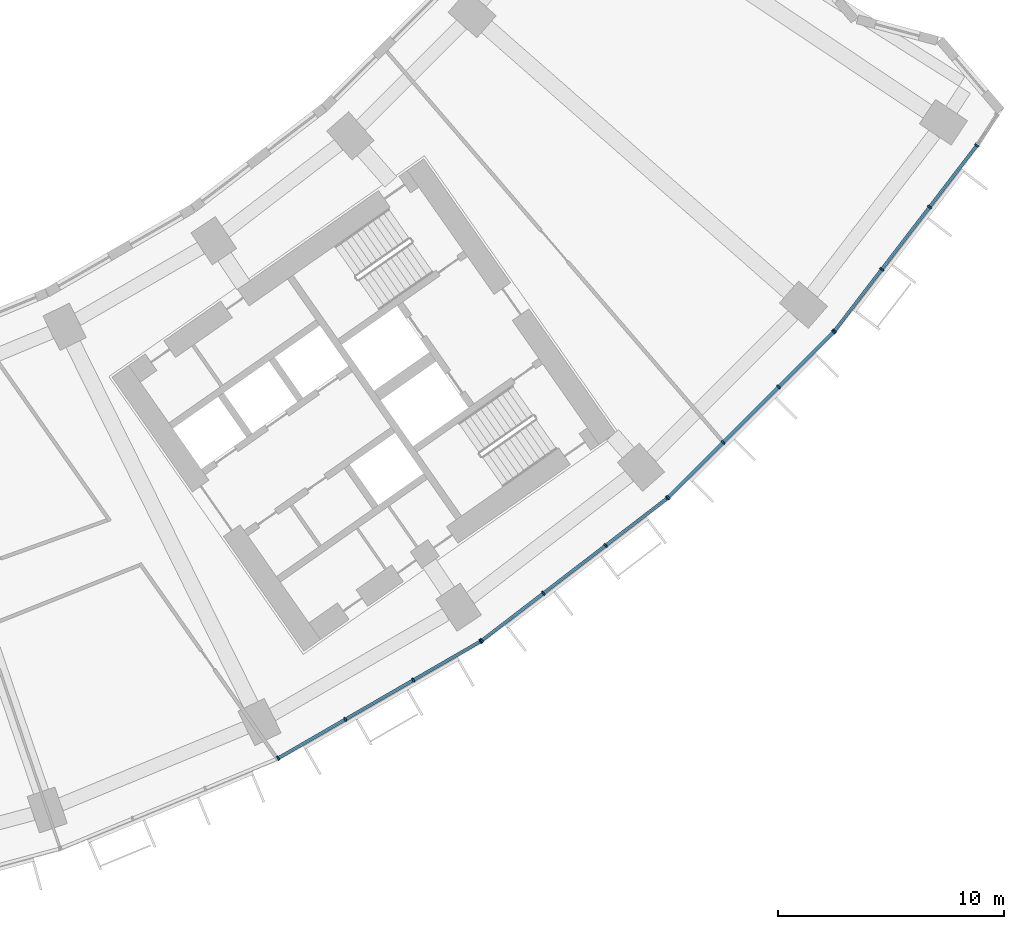
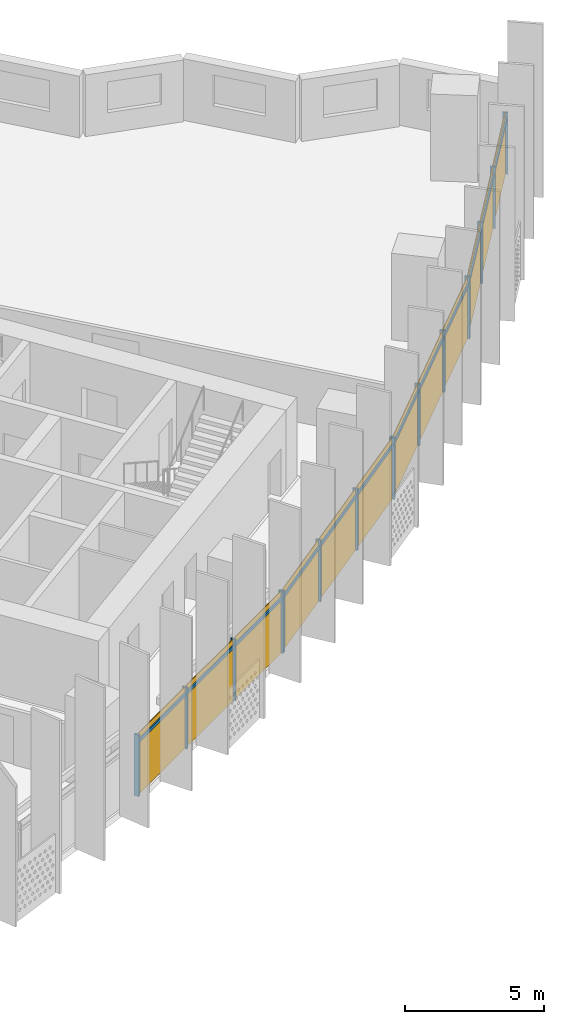
# One storey, part 22 of 31: 28 members, 4 curtain walls.
"""IFC4 building model written with IfcOpenShell, lengths in metres."""

from ifc_helpers import new_model, si_unit, direction, frame, origin, origin_2d, place, context, subcontext, project, spatial, rectangle, extrude, material, material_profile, profile_set, type_object, element, aggregate, save


model = new_model("IFC4")

# Units and contexts
model_context = context("Model", 3, precision=1e-05, world=origin(), true_north=direction((0.0, 1.0)))
body_context = subcontext(model_context, "Body", "Model", "MODEL_VIEW")
ifc_project = project(units=[si_unit("LENGTHUNIT", "METRE"), si_unit("AREAUNIT", "SQUARE_METRE"), si_unit("VOLUMEUNIT", "CUBIC_METRE"), si_unit("PLANEANGLEUNIT", "RADIAN"), si_unit("MASSUNIT", "GRAM", prefix="KILO")], contexts=[model_context])

# Member
ifc_material = material(Name="Aluminium 6063-T6 anodised", Category="aluminium")
ifc_material_profile_1 = material_profile(ifc_material, rectangle(XDim=0.199951171875, YDim=0.070068359375, at=origin_2d()))
ifc_profile_set_1 = profile_set([ifc_material_profile_1], Name="Aluminium 6063-T6 anodised")
member_type_1 = type_object("IfcMemberType", Name="Mullion 70 x 200 aluminium", PredefinedType="MULLION", material=ifc_profile_set_1)
site_placement = place(None, origin())
building_placement = place(site_placement, origin())
storey_placement = place(building_placement, frame((0.0, 0.0, 48.10009765625)))
member_1_placement = place(storey_placement, frame((35.20849609375, -71.331787109375, 0.0), z_axis=(0.0, 0.0, 1.0), x_axis=(-0.5, 0.866025403784, 0.0)))
member_1 = element("IfcMember", 1, at=member_1_placement, type_object=member_type_1, Name="e-cw1-L08-out12/M00", PredefinedType="MULLION", context=body_context, shape_type="SweptSolid", body=[
    extrude(rectangle(XDim=0.199951171875, YDim=0.070068359375, at=origin_2d()), origin(), (0.0, 0.0, 1.0), 2.699951171875),
])

member_2_placement = place(storey_placement, frame((38.18603515625, -69.61279296875, 0.0), z_axis=(0.0, 0.0, 1.0), x_axis=(-0.5, 0.866025403784, 0.0)))
member_2 = element("IfcMember", 2, at=member_2_placement, type_object=member_type_1, Name="e-cw1-L08-out12/M01", PredefinedType="MULLION", context=body_context, shape_type="SweptSolid", body=[
    extrude(rectangle(XDim=0.199951171875, YDim=0.070068359375, at=origin_2d()), origin(), (0.0, 0.0, 1.0), 2.699951171875),
])

member_3_placement = place(storey_placement, frame((41.193603515625, -67.87646484375, 0.0), z_axis=(0.0, 0.0, 1.0), x_axis=(-0.5, 0.866025403784, 0.0)))
member_3 = element("IfcMember", 3, at=member_3_placement, type_object=member_type_1, Name="e-cw1-L08-out12/M02", PredefinedType="MULLION", context=body_context, shape_type="SweptSolid", body=[
    extrude(rectangle(XDim=0.199951171875, YDim=0.070068359375, at=origin_2d()), origin(), (0.0, 0.0, 1.0), 2.699951171875),
])

member_4_placement = place(storey_placement, frame((44.1708984375, -66.157470703125, 0.0), z_axis=(0.0, 0.0, 1.0), x_axis=(-0.5, 0.866025403784, 0.0)))
member_4 = element("IfcMember", 4, at=member_4_placement, type_object=member_type_1, Name="e-cw1-L08-out12/M03", PredefinedType="MULLION", context=body_context, shape_type="SweptSolid", body=[
    extrude(rectangle(XDim=0.199951171875, YDim=0.070068359375, at=origin_2d()), origin(), (0.0, 0.0, 1.0), 2.699951171875),
])

member_5_placement = place(storey_placement, frame((44.218017578125, -66.1259765625, 0.0), z_axis=(0.0, 0.0, 1.0), x_axis=(-0.608761429009, 0.793353340291, 0.0)))
member_5 = element("IfcMember", 5, at=member_5_placement, type_object=member_type_1, Name="e-cw1-L08-out13/M00", PredefinedType="MULLION", context=body_context, shape_type="SweptSolid", body=[
    extrude(rectangle(XDim=0.199951171875, YDim=0.070068359375, at=origin_2d()), origin(), (0.0, 0.0, 1.0), 2.699951171875),
])

member_6_placement = place(storey_placement, frame((46.945556640625, -64.032958984375, 0.0), z_axis=(0.0, 0.0, 1.0), x_axis=(-0.608761429009, 0.793353340291, 0.0)))
member_6 = element("IfcMember", 6, at=member_6_placement, type_object=member_type_1, Name="e-cw1-L08-out13/M01", PredefinedType="MULLION", context=body_context, shape_type="SweptSolid", body=[
    extrude(rectangle(XDim=0.199951171875, YDim=0.070068359375, at=origin_2d()), origin(), (0.0, 0.0, 1.0), 2.699951171875),
])

member_7_placement = place(storey_placement, frame((49.70068359375, -61.9189453125, 0.0), z_axis=(0.0, 0.0, 1.0), x_axis=(-0.608761429009, 0.793353340291, 0.0)))
member_7 = element("IfcMember", 7, at=member_7_placement, type_object=member_type_1, Name="e-cw1-L08-out13/M02", PredefinedType="MULLION", context=body_context, shape_type="SweptSolid", body=[
    extrude(rectangle(XDim=0.199951171875, YDim=0.070068359375, at=origin_2d()), origin(), (0.0, 0.0, 1.0), 2.699951171875),
])

member_8_placement = place(storey_placement, frame((52.42822265625, -59.825927734375, 0.0), z_axis=(0.0, 0.0, 1.0), x_axis=(-0.608761429009, 0.793353340291, 0.0)))
member_8 = element("IfcMember", 8, at=member_8_placement, type_object=member_type_1, Name="e-cw1-L08-out13/M03", PredefinedType="MULLION", context=body_context, shape_type="SweptSolid", body=[
    extrude(rectangle(XDim=0.199951171875, YDim=0.070068359375, at=origin_2d()), origin(), (0.0, 0.0, 1.0), 2.699951171875),
])

member_9_placement = place(storey_placement, frame((52.470947265625, -59.78857421875, 0.0), z_axis=(0.0, 0.0, 1.0), x_axis=(-0.707106781187, 0.707106781187, 0.0)))
member_9 = element("IfcMember", 9, at=member_9_placement, type_object=member_type_1, Name="e-cw1-L08-out14/M00", PredefinedType="MULLION", context=body_context, shape_type="SweptSolid", body=[
    extrude(rectangle(XDim=0.199951171875, YDim=0.070068359375, at=origin_2d()), origin(), (0.0, 0.0, 1.0), 2.699951171875),
])

member_10_placement = place(storey_placement, frame((54.90185546875, -57.357666015625, 0.0), z_axis=(0.0, 0.0, 1.0), x_axis=(-0.707106781187, 0.707106781187, 0.0)))
member_10 = element("IfcMember", 10, at=member_10_placement, type_object=member_type_1, Name="e-cw1-L08-out14/M01", PredefinedType="MULLION", context=body_context, shape_type="SweptSolid", body=[
    extrude(rectangle(XDim=0.199951171875, YDim=0.070068359375, at=origin_2d()), origin(), (0.0, 0.0, 1.0), 2.699951171875),
])

member_11_placement = place(storey_placement, frame((57.357666015625, -54.90185546875, 0.0), z_axis=(0.0, 0.0, 1.0), x_axis=(-0.707106781187, 0.707106781187, 0.0)))
member_11 = element("IfcMember", 11, at=member_11_placement, type_object=member_type_1, Name="e-cw1-L08-out14/M02", PredefinedType="MULLION", context=body_context, shape_type="SweptSolid", body=[
    extrude(rectangle(XDim=0.199951171875, YDim=0.070068359375, at=origin_2d()), origin(), (0.0, 0.0, 1.0), 2.699951171875),
])

member_12_placement = place(storey_placement, frame((59.78857421875, -52.470947265625, 0.0), z_axis=(0.0, 0.0, 1.0), x_axis=(-0.707106781187, 0.707106781187, 0.0)))
member_12 = element("IfcMember", 12, at=member_12_placement, type_object=member_type_1, Name="e-cw1-L08-out14/M03", PredefinedType="MULLION", context=body_context, shape_type="SweptSolid", body=[
    extrude(rectangle(XDim=0.199951171875, YDim=0.070068359375, at=origin_2d()), origin(), (0.0, 0.0, 1.0), 2.699951171875),
])

member_13_placement = place(storey_placement, frame((59.825927734375, -52.42822265625, 0.0), z_axis=(0.0, 0.0, 1.0), x_axis=(-0.793353340291, 0.608761429009, 0.0)))
member_13 = element("IfcMember", 13, at=member_13_placement, type_object=member_type_1, Name="e-cw1-L08-out15/M00", PredefinedType="MULLION", context=body_context, shape_type="SweptSolid", body=[
    extrude(rectangle(XDim=0.199951171875, YDim=0.070068359375, at=origin_2d()), origin(), (0.0, 0.0, 1.0), 2.699951171875),
])

member_14_placement = place(storey_placement, frame((61.9189453125, -49.70068359375, 0.0), z_axis=(0.0, 0.0, 1.0), x_axis=(-0.793353340291, 0.608761429009, 0.0)))
member_14 = element("IfcMember", 14, at=member_14_placement, type_object=member_type_1, Name="e-cw1-L08-out15/M01", PredefinedType="MULLION", context=body_context, shape_type="SweptSolid", body=[
    extrude(rectangle(XDim=0.199951171875, YDim=0.070068359375, at=origin_2d()), origin(), (0.0, 0.0, 1.0), 2.699951171875),
])

member_15_placement = place(storey_placement, frame((64.032958984375, -46.945556640625, 0.0), z_axis=(0.0, 0.0, 1.0), x_axis=(-0.793353340291, 0.608761429009, 0.0)))
member_15 = element("IfcMember", 15, at=member_15_placement, type_object=member_type_1, Name="e-cw1-L08-out15/M02", PredefinedType="MULLION", context=body_context, shape_type="SweptSolid", body=[
    extrude(rectangle(XDim=0.199951171875, YDim=0.070068359375, at=origin_2d()), origin(), (0.0, 0.0, 1.0), 2.699951171875),
])

member_16_placement = place(storey_placement, frame((66.1259765625, -44.218017578125, 0.0), z_axis=(0.0, 0.0, 1.0), x_axis=(-0.793353340291, 0.608761429009, 0.0)))
member_16 = element("IfcMember", 16, at=member_16_placement, type_object=member_type_1, Name="e-cw1-L08-out15/M03", PredefinedType="MULLION", context=body_context, shape_type="SweptSolid", body=[
    extrude(rectangle(XDim=0.199951171875, YDim=0.070068359375, at=origin_2d()), origin(), (0.0, 0.0, 1.0), 2.699951171875),
])

ifc_material_profile_2 = material_profile(ifc_material, rectangle(XDim=0.139892578125, YDim=0.1201171875, at=origin_2d()))
ifc_profile_set_2 = profile_set([ifc_material_profile_2], Name="Aluminium 6063-T6 anodised")
member_type_2 = type_object("IfcMemberType", Name="Transom 120 x 140 aluminium", PredefinedType="USERDEFINED", material=ifc_profile_set_2)
member_17_placement = place(storey_placement, frame((35.239013671875, -71.314208984375, 2.39990234375), z_axis=(0.866026229868, 0.499998569178, 0.0), x_axis=(-0.499998569178, 0.866026229868, 0.0)))
member_17 = element("IfcMember", 17, at=member_17_placement, type_object=member_type_2, Name="e-cw1-L08-out12/T00", ObjectType="TRANSOM", PredefinedType="USERDEFINED", context=body_context, shape_type="SweptSolid", body=[
    extrude(rectangle(XDim=0.139892578125, YDim=0.1201171875, at=origin_2d()), origin(), (0.0, 0.0, 1.0), 3.36767578125),
])

member_18_placement = place(storey_placement, frame((38.21630859375, -69.595458984375, 2.39990234375), z_axis=(0.866000398227, 0.500043308395, 0.0), x_axis=(-0.500043308395, 0.866000398227, 0.0)))
member_18 = element("IfcMember", 18, at=member_18_placement, type_object=member_type_2, Name="e-cw1-L08-out12/T01", ObjectType="TRANSOM", PredefinedType="USERDEFINED", context=body_context, shape_type="SweptSolid", body=[
    extrude(rectangle(XDim=0.139892578125, YDim=0.1201171875, at=origin_2d()), origin(), (0.0, 0.0, 1.0), 3.403076171875),
])

member_19_placement = place(storey_placement, frame((41.223876953125, -67.85888671875, 2.39990234375), z_axis=(0.866044351828, 0.49996717959, 0.0), x_axis=(-0.49996717959, 0.866044351828, 0.0)))
member_19 = element("IfcMember", 19, at=member_19_placement, type_object=member_type_2, Name="e-cw1-L08-out12/T02", ObjectType="TRANSOM", PredefinedType="USERDEFINED", context=body_context, shape_type="SweptSolid", body=[
    extrude(rectangle(XDim=0.139892578125, YDim=0.1201171875, at=origin_2d()), origin(), (0.0, 0.0, 1.0), 3.367919921875),
])

member_20_placement = place(storey_placement, frame((44.245849609375, -66.1044921875, 2.39990234375), z_axis=(0.793375276742, 0.608732839803, 0.0), x_axis=(-0.608732839803, 0.793375276742, 0.0)))
member_20 = element("IfcMember", 20, at=member_20_placement, type_object=member_type_2, Name="e-cw1-L08-out13/T00", ObjectType="TRANSOM", PredefinedType="USERDEFINED", context=body_context, shape_type="SweptSolid", body=[
    extrude(rectangle(XDim=0.139892578125, YDim=0.1201171875, at=origin_2d()), origin(), (0.0, 0.0, 1.0), 3.36767578125),
])

member_21_placement = place(storey_placement, frame((46.973388671875, -64.01171875, 2.39990234375), z_axis=(0.793356868815, 0.60875683052, 0.0), x_axis=(-0.60875683052, 0.793356868815, 0.0)))
member_21 = element("IfcMember", 21, at=member_21_placement, type_object=member_type_2, Name="e-cw1-L08-out13/T01", ObjectType="TRANSOM", PredefinedType="USERDEFINED", context=body_context, shape_type="SweptSolid", body=[
    extrude(rectangle(XDim=0.139892578125, YDim=0.1201171875, at=origin_2d()), origin(), (0.0, 0.0, 1.0), 3.40283203125),
])

member_22_placement = place(storey_placement, frame((49.728515625, -61.8974609375, 2.39990234375), z_axis=(0.793375276742, 0.608732839803, 0.0), x_axis=(-0.608732839803, 0.793375276742, 0.0)))
member_22 = element("IfcMember", 22, at=member_22_placement, type_object=member_type_2, Name="e-cw1-L08-out13/T02", ObjectType="TRANSOM", PredefinedType="USERDEFINED", context=body_context, shape_type="SweptSolid", body=[
    extrude(rectangle(XDim=0.139892578125, YDim=0.1201171875, at=origin_2d()), origin(), (0.0, 0.0, 1.0), 3.36767578125),
])

member_23_placement = place(storey_placement, frame((52.49560546875, -59.763916015625, 2.39990234375), z_axis=(0.707106781187, 0.707106781187, 0.0), x_axis=(-0.707106781187, 0.707106781187, 0.0)))
member_23 = element("IfcMember", 23, at=member_23_placement, type_object=member_type_2, Name="e-cw1-L08-out14/T00", ObjectType="TRANSOM", PredefinedType="USERDEFINED", context=body_context, shape_type="SweptSolid", body=[
    extrude(rectangle(XDim=0.139892578125, YDim=0.1201171875, at=origin_2d()), origin(), (0.0, 0.0, 1.0), 3.3681640625),
])

member_24_placement = place(storey_placement, frame((54.9267578125, -57.332763671875, 2.39990234375), z_axis=(0.707106781187, 0.707106781187, 0.0), x_axis=(-0.707106781187, 0.707106781187, 0.0)))
member_24 = element("IfcMember", 24, at=member_24_placement, type_object=member_type_2, Name="e-cw1-L08-out14/T01", ObjectType="TRANSOM", PredefinedType="USERDEFINED", context=body_context, shape_type="SweptSolid", body=[
    extrude(rectangle(XDim=0.139892578125, YDim=0.1201171875, at=origin_2d()), origin(), (0.0, 0.0, 1.0), 3.402587890625),
])

member_25_placement = place(storey_placement, frame((57.38232421875, -54.877197265625, 2.39990234375), z_axis=(0.707106781187, 0.707106781187, 0.0), x_axis=(-0.707106781187, 0.707106781187, 0.0)))
member_25 = element("IfcMember", 25, at=member_25_placement, type_object=member_type_2, Name="e-cw1-L08-out14/T02", ObjectType="TRANSOM", PredefinedType="USERDEFINED", context=body_context, shape_type="SweptSolid", body=[
    extrude(rectangle(XDim=0.139892578125, YDim=0.1201171875, at=origin_2d()), origin(), (0.0, 0.0, 1.0), 3.3681640625),
])

member_26_placement = place(storey_placement, frame((59.847412109375, -52.400390625, 2.39990234375), z_axis=(0.608732839803, 0.793375276742, 0.0), x_axis=(-0.793375276742, 0.608732839803, 0.0)))
member_26 = element("IfcMember", 26, at=member_26_placement, type_object=member_type_2, Name="e-cw1-L08-out15/T00", ObjectType="TRANSOM", PredefinedType="USERDEFINED", context=body_context, shape_type="SweptSolid", body=[
    extrude(rectangle(XDim=0.139892578125, YDim=0.1201171875, at=origin_2d()), origin(), (0.0, 0.0, 1.0), 3.36767578125),
])

member_27_placement = place(storey_placement, frame((61.940185546875, -49.673095703125, 2.39990234375), z_axis=(0.60875683052, 0.793356868815, 0.0), x_axis=(-0.793356868815, 0.60875683052, 0.0)))
member_27 = element("IfcMember", 27, at=member_27_placement, type_object=member_type_2, Name="e-cw1-L08-out15/T01", ObjectType="TRANSOM", PredefinedType="USERDEFINED", context=body_context, shape_type="SweptSolid", body=[
    extrude(rectangle(XDim=0.139892578125, YDim=0.1201171875, at=origin_2d()), origin(), (0.0, 0.0, 1.0), 3.40283203125),
])

member_28_placement = place(storey_placement, frame((64.054443359375, -46.917724609375, 2.39990234375), z_axis=(0.608732839803, 0.793375276742, 0.0), x_axis=(-0.793375276742, 0.608732839803, 0.0)))
member_28 = element("IfcMember", 28, at=member_28_placement, type_object=member_type_2, Name="e-cw1-L08-out15/T02", ObjectType="TRANSOM", PredefinedType="USERDEFINED", context=body_context, shape_type="SweptSolid", body=[
    extrude(rectangle(XDim=0.139892578125, YDim=0.1201171875, at=origin_2d()), origin(), (0.0, 0.0, 1.0), 3.36767578125),
])

# Site, building, storey
site = spatial("IfcSite", under=ifc_project, at=site_placement, CompositionType="ELEMENT")
building = spatial("IfcBuilding", under=site, at=building_placement, Name="Qamariyya Broadcast Tower", CompositionType="ELEMENT")
storey = spatial("IfcBuildingStorey", under=building, at=storey_placement, Name="L08", CompositionType="ELEMENT", Elevation=48.10009765625)

# Curtain wall
curtain_wall_type = type_object("IfcCurtainWallType", Name="Unitised curtain wall, anodised aluminium", PredefinedType="NOTDEFINED", material=ifc_material)
curtain_wall_1_placement = place(storey_placement, origin())
curtain_wall_1 = element("IfcCurtainWall", 29, at=curtain_wall_1_placement, inside=storey, type_object=curtain_wall_type, Name="e-cw1-L08-out12", PredefinedType="NOTDEFINED", context=body_context, shape_type="SweptSolid", body=[
    extrude(rectangle(XDim=3.367919921875, YDim=0.031982421875, at=origin_2d()), frame((36.697265625, -70.472412109375, 0.0), x_axis=(0.86602247392, 0.500005074639, 0.0)), (0.0, 0.0, 1.0), 2.340087890625),
    extrude(rectangle(XDim=3.367919921875, YDim=0.031982421875, at=origin_2d()), frame((36.697265625, -70.472412109375, 2.4599609375), x_axis=(0.86602247392, 0.500005074639, 0.0)), (0.0, 0.0, 1.0), 0.239990234375),
    extrude(rectangle(XDim=3.40283203125, YDim=0.031982421875, at=origin_2d()), frame((39.689697265625, -68.74462890625, 0.0), x_axis=(0.86602247392, 0.500005074639, 0.0)), (0.0, 0.0, 1.0), 2.340087890625),
    extrude(rectangle(XDim=3.40283203125, YDim=0.031982421875, at=origin_2d()), frame((39.689697265625, -68.74462890625, 2.4599609375), x_axis=(0.86602247392, 0.500005074639, 0.0)), (0.0, 0.0, 1.0), 0.239990234375),
    extrude(rectangle(XDim=3.367919921875, YDim=0.031982421875, at=origin_2d()), frame((42.68212890625, -67.016845703125, 0.0), x_axis=(0.86602247392, 0.500005074639, 0.0)), (0.0, 0.0, 1.0), 2.340087890625),
    extrude(rectangle(XDim=3.367919921875, YDim=0.031982421875, at=origin_2d()), frame((42.68212890625, -67.016845703125, 2.4599609375), x_axis=(0.86602247392, 0.500005074639, 0.0)), (0.0, 0.0, 1.0), 0.239990234375),
])

aggregate(curtain_wall_1, [member_1, member_2, member_3, member_4, member_17, member_18, member_19])

curtain_wall_2_placement = place(storey_placement, origin())
curtain_wall_2 = element("IfcCurtainWall", 30, at=curtain_wall_2_placement, inside=storey, type_object=curtain_wall_type, Name="e-cw1-L08-out13", PredefinedType="NOTDEFINED", context=body_context, shape_type="SweptSolid", body=[
    extrude(rectangle(XDim=3.367919921875, YDim=0.031982421875, at=origin_2d()), frame((45.581787109375, -65.07958984375, 0.0), x_axis=(0.79335775203, 0.608755679475, 0.0)), (0.0, 0.0, 1.0), 2.340087890625),
    extrude(rectangle(XDim=3.367919921875, YDim=0.031982421875, at=origin_2d()), frame((45.581787109375, -65.07958984375, 2.4599609375), x_axis=(0.79335775203, 0.608755679475, 0.0)), (0.0, 0.0, 1.0), 0.239990234375),
    extrude(rectangle(XDim=3.40283203125, YDim=0.031982421875, at=origin_2d()), frame((48.3232421875, -62.97607421875, 0.0), x_axis=(0.79335775203, 0.608755679475, 0.0)), (0.0, 0.0, 1.0), 2.340087890625),
    extrude(rectangle(XDim=3.40283203125, YDim=0.031982421875, at=origin_2d()), frame((48.3232421875, -62.97607421875, 2.4599609375), x_axis=(0.79335775203, 0.608755679475, 0.0)), (0.0, 0.0, 1.0), 0.239990234375),
    extrude(rectangle(XDim=3.367919921875, YDim=0.031982421875, at=origin_2d()), frame((51.064453125, -60.872314453125, 0.0), x_axis=(0.79335775203, 0.608755679475, 0.0)), (0.0, 0.0, 1.0), 2.340087890625),
    extrude(rectangle(XDim=3.367919921875, YDim=0.031982421875, at=origin_2d()), frame((51.064453125, -60.872314453125, 2.4599609375), x_axis=(0.79335775203, 0.608755679475, 0.0)), (0.0, 0.0, 1.0), 0.239990234375),
])

aggregate(curtain_wall_2, [member_5, member_6, member_7, member_8, member_20, member_21, member_22])

curtain_wall_3_placement = place(storey_placement, origin())
curtain_wall_3 = element("IfcCurtainWall", 31, at=curtain_wall_3_placement, inside=storey, type_object=curtain_wall_type, Name="e-cw1-L08-out14", PredefinedType="NOTDEFINED", context=body_context, shape_type="SweptSolid", body=[
    extrude(rectangle(XDim=3.367919921875, YDim=0.031982421875, at=origin_2d()), frame((53.6865234375, -58.572998046875, 0.0), x_axis=(0.707106781187, 0.707106781187, 0.0)), (0.0, 0.0, 1.0), 2.340087890625),
    extrude(rectangle(XDim=3.367919921875, YDim=0.031982421875, at=origin_2d()), frame((53.6865234375, -58.572998046875, 2.4599609375), x_axis=(0.707106781187, 0.707106781187, 0.0)), (0.0, 0.0, 1.0), 0.239990234375),
    extrude(rectangle(XDim=3.40283203125, YDim=0.031982421875, at=origin_2d()), frame((56.1298828125, -56.1298828125, 0.0), x_axis=(0.707106781187, 0.707106781187, 0.0)), (0.0, 0.0, 1.0), 2.340087890625),
    extrude(rectangle(XDim=3.40283203125, YDim=0.031982421875, at=origin_2d()), frame((56.1298828125, -56.1298828125, 2.4599609375), x_axis=(0.707106781187, 0.707106781187, 0.0)), (0.0, 0.0, 1.0), 0.239990234375),
    extrude(rectangle(XDim=3.367919921875, YDim=0.031982421875, at=origin_2d()), frame((58.572998046875, -53.6865234375, 0.0), x_axis=(0.707106781187, 0.707106781187, 0.0)), (0.0, 0.0, 1.0), 2.340087890625),
    extrude(rectangle(XDim=3.367919921875, YDim=0.031982421875, at=origin_2d()), frame((58.572998046875, -53.6865234375, 2.4599609375), x_axis=(0.707106781187, 0.707106781187, 0.0)), (0.0, 0.0, 1.0), 0.239990234375),
])

aggregate(curtain_wall_3, [member_9, member_10, member_11, member_12, member_23, member_24, member_25])

curtain_wall_4_placement = place(storey_placement, origin())
curtain_wall_4 = element("IfcCurtainWall", 32, at=curtain_wall_4_placement, inside=storey, type_object=curtain_wall_type, Name="e-cw1-L08-out15", PredefinedType="NOTDEFINED", context=body_context, shape_type="SweptSolid", body=[
    extrude(rectangle(XDim=3.367919921875, YDim=0.031982421875, at=origin_2d()), frame((60.872314453125, -51.064453125, 0.0), x_axis=(0.608755679475, 0.79335775203, 0.0)), (0.0, 0.0, 1.0), 2.340087890625),
    extrude(rectangle(XDim=3.367919921875, YDim=0.031982421875, at=origin_2d()), frame((60.872314453125, -51.064453125, 2.4599609375), x_axis=(0.608755679475, 0.79335775203, 0.0)), (0.0, 0.0, 1.0), 0.239990234375),
    extrude(rectangle(XDim=3.40283203125, YDim=0.031982421875, at=origin_2d()), frame((62.97607421875, -48.3232421875, 0.0), x_axis=(0.608755679475, 0.79335775203, 0.0)), (0.0, 0.0, 1.0), 2.340087890625),
    extrude(rectangle(XDim=3.40283203125, YDim=0.031982421875, at=origin_2d()), frame((62.97607421875, -48.3232421875, 2.4599609375), x_axis=(0.608755679475, 0.79335775203, 0.0)), (0.0, 0.0, 1.0), 0.239990234375),
    extrude(rectangle(XDim=3.367919921875, YDim=0.031982421875, at=origin_2d()), frame((65.07958984375, -45.581787109375, 0.0), x_axis=(0.608755679475, 0.79335775203, 0.0)), (0.0, 0.0, 1.0), 2.340087890625),
    extrude(rectangle(XDim=3.367919921875, YDim=0.031982421875, at=origin_2d()), frame((65.07958984375, -45.581787109375, 2.4599609375), x_axis=(0.608755679475, 0.79335775203, 0.0)), (0.0, 0.0, 1.0), 0.239990234375),
])

aggregate(curtain_wall_4, [member_13, member_14, member_15, member_16, member_26, member_27, member_28])

save(model, "model.ifc")
